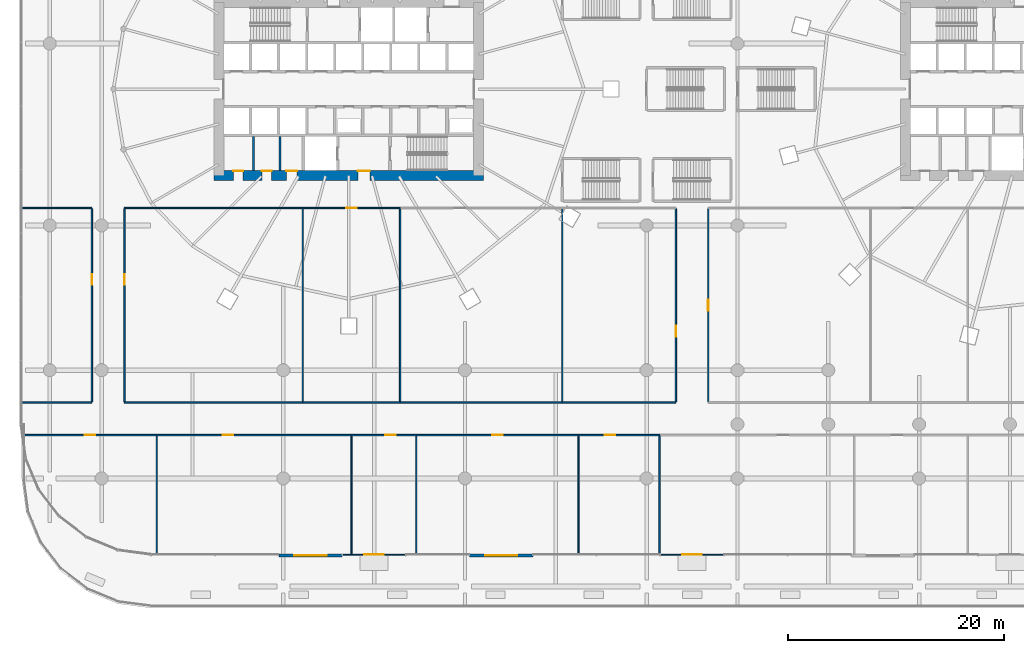
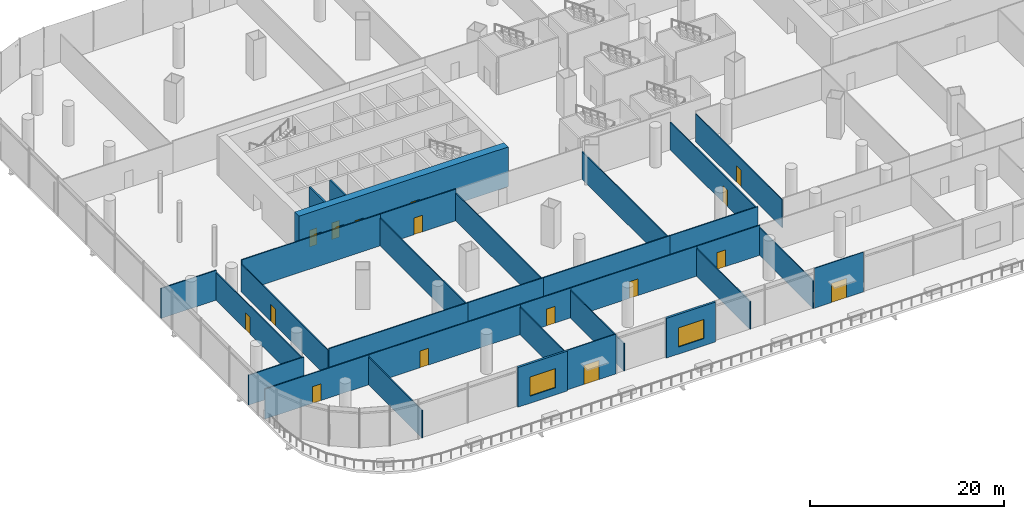
# One storey, part 33 of 51: 32 walls, 16 doors, 2 windows, 18 openings.
"""IFC4 building model written with IfcOpenShell, lengths in metres."""

from ifc_helpers import new_model, si_unit, direction, frame, frame_2d, origin, place, context, subcontext, project, spatial, rectangle, extrude, material, layer, layer_set, type_object, element, fill, save


model = new_model("IFC4")

# Units and contexts
model_context = context("Model", 3, precision=1e-05, world=origin(), true_north=direction((0.0, 1.0)))
body_context = subcontext(model_context, "Body", "Model", "MODEL_VIEW")
ifc_project = project(units=[si_unit("LENGTHUNIT", "METRE"), si_unit("AREAUNIT", "SQUARE_METRE"), si_unit("VOLUMEUNIT", "CUBIC_METRE"), si_unit("PLANEANGLEUNIT", "RADIAN"), si_unit("MASSUNIT", "GRAM", prefix="KILO")], contexts=[model_context])

# Site, building, storey
site_placement = place(None, origin())
site = spatial("IfcSite", under=ifc_project, at=site_placement, CompositionType="ELEMENT")
building_placement = place(site_placement, origin())
building = spatial("IfcBuilding", under=site, at=building_placement, Name="Rimbun Link Towers", CompositionType="ELEMENT")
storey_placement = place(building_placement, frame((0.0, 0.0, 7.0)))
storey = spatial("IfcBuildingStorey", under=building, at=storey_placement, Name="L01", CompositionType="ELEMENT", Elevation=7.0)

# Walls
ifc_material_1 = material(Name="Masonry blockwork", Category="masonry")
ifc_layer_1 = layer(ifc_material_1, 0.199951171875)
ifc_layer_set_1 = layer_set([ifc_layer_1], Name="Core partition 200")
wall_type_1 = type_object("IfcWallType", Name="Core partition 200", PredefinedType="PARTITIONING", material=ifc_layer_set_1)
for number, where, z_axis, x_axis, name in (
    (1, (-40.550048828125, -4.39990234375, 0.0), (0.0, 0.0, 1.0), (0.0, -1.0, 0.0), "L01 T1 core wall C1"),
    (2, (-38.10009765625, -4.39990234375, 0.0), (0.0, 0.0, 1.0), (0.0, -1.0, 0.0), "L01 T1 core wall C2"),
):
    element("IfcWall", number, at=place(storey_placement, frame(where, z_axis=z_axis, x_axis=x_axis)), inside=storey, type_object=wall_type_1, Name=name, PredefinedType="PARTITIONING", context=body_context, shape_type="SweptSolid", body=[
        extrude(rectangle(XDim=3.150146484375, YDim=0.199951171875, at=frame_2d((1.5751953125, 0.0))), origin(), (0.0, 0.0, 1.0), 5.0),
    ])

# Wall, openings, doors
ifc_material_2 = material(Name="Concrete C60/75", Category="concrete")
ifc_layer_2 = layer(ifc_material_2, 0.89990234375)
ifc_layer_set_2 = layer_set([ifc_layer_2], Name="Core shear wall 900")
wall_type_2 = type_object("IfcWallType", Name="Core shear wall 900", PredefinedType="SHEAR", material=ifc_layer_set_2)
wall_1_placement = place(storey_placement, frame((-44.199951171875, -8.0, 0.0), z_axis=(0.0, 0.0, 1.0), x_axis=(1.0, 0.0, 0.0)))
wall_1 = element("IfcWall", 3, at=wall_1_placement, inside=storey, type_object=wall_type_2, Name="L01 T1 core wall S", PredefinedType="SHEAR", context=body_context, shape_type="SweptSolid", body=[
    extrude(rectangle(XDim=24.89990234375, YDim=0.89990234375, at=frame_2d((12.449951171875, 0.0))), origin(), (0.0, 0.0, 1.0), 5.0),
])
opening_1_placement = place(wall_1_placement, frame((13.300048828125, 0.0, 0.0)))
opening_1 = element("IfcOpeningElement", 4, at=opening_1_placement, cuts=wall_1, Name="Opening C1DCF01S", PredefinedType="OPENING", context=body_context, shape_type="SweptSolid", body=[
    extrude(rectangle(XDim=1.10009765625, YDim=2.10009765625, at=frame_2d((0.550048828125, 1.050048828125))), frame((0.0, 0.4599609375, 0.0), z_axis=(0.0, -1.0, 0.0), x_axis=(1.0, 0.0, 0.0)), (0.0, 0.0, 1.0), 0.919921875),
])
opening_2_placement = place(wall_1_placement, frame((1.77490234375, 0.0, 0.0)))
opening_2 = element("IfcOpeningElement", 5, at=opening_2_placement, cuts=wall_1, Name="Opening C1DWC02S", PredefinedType="OPENING", context=body_context, shape_type="SweptSolid", body=[
    extrude(rectangle(XDim=0.89990234375, YDim=2.10009765625, at=frame_2d((0.449951171875, 1.050048828125))), frame((0.0, 0.4599609375, 0.0), z_axis=(0.0, -1.0, 0.0), x_axis=(1.0, 0.0, 0.0)), (0.0, 0.0, 1.0), 0.919921875),
])
opening_3_placement = place(wall_1_placement, frame((4.425048828125, 0.0, 0.0)))
opening_3 = element("IfcOpeningElement", 6, at=opening_3_placement, cuts=wall_1, Name="Opening C1DWC03S", PredefinedType="OPENING", context=body_context, shape_type="SweptSolid", body=[
    extrude(rectangle(XDim=0.89990234375, YDim=2.10009765625, at=frame_2d((0.449951171875, 1.050048828125))), frame((0.0, 0.4599609375, 0.0), z_axis=(0.0, -1.0, 0.0), x_axis=(1.0, 0.0, 0.0)), (0.0, 0.0, 1.0), 0.919921875),
])
opening_4_placement = place(wall_1_placement, frame((6.675048828125, 0.0, 0.0)))
opening_4 = element("IfcOpeningElement", 7, at=opening_4_placement, cuts=wall_1, Name="Opening C1DAW04S", PredefinedType="OPENING", context=body_context, shape_type="SweptSolid", body=[
    extrude(rectangle(XDim=1.0, YDim=2.10009765625, at=frame_2d((0.5, 1.050048828125))), frame((0.0, 0.4599609375, 0.0), z_axis=(0.0, -1.0, 0.0), x_axis=(1.0, 0.0, 0.0)), (0.0, 0.0, 1.0), 0.919921875),
])
ifc_material_3 = material(Name="Timber", Category="wood")
door_type_1 = type_object("IfcDoorType", Name="Accessible WC door", OperationType="SINGLE_SWING_LEFT", PredefinedType="DOOR", material=ifc_material_3)
door_1_placement = place(opening_4_placement, origin())
door_1 = element("IfcDoor", 8, at=door_1_placement, inside=storey, type_object=door_type_1, Name="L01 T1 accessible wc door", OperationType="SINGLE_SWING_RIGHT", OverallHeight=2.10009765625, OverallWidth=1.0, PredefinedType="DOOR", context=body_context, shape_type="SweptSolid", body=[
    extrude(rectangle(XDim=1.0, YDim=2.10009765625, at=frame_2d((0.5, 1.050048828125))), frame((0.0, 0.4501953125, 0.0), z_axis=(0.0, -1.0, 0.0), x_axis=(1.0, 0.0, 0.0)), (0.0, 0.0, 1.0), 0.050048828125),
])
fill(opening_4, door_1)
ifc_material_4 = material(Name="Steel fire door set", Category="steel")
door_type_2 = type_object("IfcDoorType", Name="Core fire door single", OperationType="SINGLE_SWING_LEFT", PredefinedType="DOOR", material=ifc_material_4)
door_2_placement = place(opening_1_placement, origin())
door_2 = element("IfcDoor", 9, at=door_2_placement, inside=storey, type_object=door_type_2, Name="L01 T1 firefighting lobby s door", OperationType="SINGLE_SWING_RIGHT", OverallHeight=2.10009765625, OverallWidth=1.10009765625, PredefinedType="DOOR", context=body_context, shape_type="SweptSolid", body=[
    extrude(rectangle(XDim=1.10009765625, YDim=2.10009765625, at=frame_2d((0.550048828125, 1.050048828125))), frame((0.0, 0.4501953125, 0.0), z_axis=(0.0, -1.0, 0.0), x_axis=(1.0, 0.0, 0.0)), (0.0, 0.0, 1.0), 0.050048828125),
])
fill(opening_1, door_2)
ifc_material_5 = material(Name="Timber", Category="wood")
door_type_3 = type_object("IfcDoorType", Name="WC door", OperationType="SINGLE_SWING_LEFT", PredefinedType="DOOR", material=ifc_material_5)
door_3_placement = place(opening_2_placement, origin())
door_3 = element("IfcDoor", 10, at=door_3_placement, inside=storey, type_object=door_type_3, Name="L01 T1 male wc door", OperationType="SINGLE_SWING_LEFT", OverallHeight=2.10009765625, OverallWidth=0.89990234375, PredefinedType="DOOR", context=body_context, shape_type="SweptSolid", body=[
    extrude(rectangle(XDim=0.89990234375, YDim=2.10009765625, at=frame_2d((0.449951171875, 1.050048828125))), frame((0.0, 0.4501953125, 0.0), z_axis=(0.0, -1.0, 0.0), x_axis=(1.0, 0.0, 0.0)), (0.0, 0.0, 1.0), 0.050048828125),
])
fill(opening_2, door_3)
door_4_placement = place(opening_3_placement, origin())
door_4 = element("IfcDoor", 11, at=door_4_placement, inside=storey, type_object=door_type_3, Name="L01 T1 female wc door", OperationType="SINGLE_SWING_RIGHT", OverallHeight=2.10009765625, OverallWidth=0.89990234375, PredefinedType="DOOR", context=body_context, shape_type="SweptSolid", body=[
    extrude(rectangle(XDim=0.89990234375, YDim=2.10009765625, at=frame_2d((0.449951171875, 1.050048828125))), frame((0.0, 0.4501953125, 0.0), z_axis=(0.0, -1.0, 0.0), x_axis=(1.0, 0.0, 0.0)), (0.0, 0.0, 1.0), 0.050048828125),
])
fill(opening_3, door_4)

# Wall, opening, door
ifc_material_6 = material(Name="Aluminium framed insulated infill panel", Category="aluminium")
ifc_layer_3 = layer(ifc_material_6, 0.10009765625)
ifc_layer_set_3 = layer_set([ifc_layer_3], Name="ED framed infill wall 100")
wall_type_3 = type_object("IfcWallType", Name="ED framed infill wall 100", PredefinedType="STANDARD", material=ifc_layer_set_3)
wall_2_placement = place(storey_placement, frame((-26.490478515625, -43.050048828125, 0.0), z_axis=(0.0, 0.0, 1.0), x_axis=(-1.0, 0.0, 0.0)))
wall_2 = element("IfcWall", 12, at=wall_2_placement, inside=storey, type_object=wall_type_3, Name="Framed door bay wall", PredefinedType="STANDARD", context=body_context, shape_type="SweptSolid", body=[
    extrude(rectangle(XDim=5.842529296875, YDim=0.10009765625, at=frame_2d((2.92138671875, 0.0))), origin(), (0.0, 0.0, 1.0), 5.0),
])
opening_5_placement = place(wall_2_placement, frame((2.021240234375, 0.0, 0.0)))
opening_5 = element("IfcOpeningElement", 13, at=opening_5_placement, cuts=wall_2, Name="Opening ED26", PredefinedType="OPENING", context=body_context, shape_type="SweptSolid", body=[
    extrude(rectangle(XDim=1.800048828125, YDim=2.39990234375, at=frame_2d((0.89990234375, 1.199951171875))), frame((0.0, 0.06005859375, 0.0), z_axis=(0.0, -1.0, 0.0), x_axis=(1.0, 0.0, 0.0)), (0.0, 0.0, 1.0), 0.1201171875),
])
ifc_material_7 = material(Name="Aluminium framed glazed door, low-iron glass", Category="aluminium")
door_type_4 = type_object("IfcDoorType", Name="ED terrace door double leaf 1800X2400", OperationType="DOUBLE_DOOR_SINGLE_SWING", PredefinedType="DOOR", material=ifc_material_7)
door_5_placement = place(opening_5_placement, origin())
door_5 = element("IfcDoor", 14, at=door_5_placement, inside=storey, type_object=door_type_4, Name="Terrace door", OperationType="SINGLE_SWING_LEFT", OverallHeight=2.39990234375, OverallWidth=1.800048828125, PredefinedType="DOOR", context=body_context, shape_type="SweptSolid", body=[
    extrude(rectangle(XDim=1.800048828125, YDim=2.39990234375, at=frame_2d((0.89990234375, 1.199951171875))), frame((0.0, 0.02490234375, 0.0), z_axis=(0.0, -1.0, 0.0), x_axis=(1.0, 0.0, 0.0)), (0.0, 0.0, 1.0), 0.050048828125),
])
fill(opening_5, door_5)

wall_3_placement = place(storey_placement, frame((2.921142578125, -43.050048828125, 0.0), z_axis=(0.0, 0.0, 1.0), x_axis=(-1.0, 0.0, 0.0)))
wall_3 = element("IfcWall", 15, at=wall_3_placement, inside=storey, type_object=wall_type_3, Name="Framed door bay wall", PredefinedType="STANDARD", context=body_context, shape_type="SweptSolid", body=[
    extrude(rectangle(XDim=5.84228515625, YDim=0.10009765625, at=frame_2d((2.921142578125, 0.0))), origin(), (0.0, 0.0, 1.0), 5.0),
])
opening_6_placement = place(wall_3_placement, frame((2.021240234375, 0.0, 0.0)))
opening_6 = element("IfcOpeningElement", 16, at=opening_6_placement, cuts=wall_3, Name="Opening ED27", PredefinedType="OPENING", context=body_context, shape_type="SweptSolid", body=[
    extrude(rectangle(XDim=1.800048828125, YDim=2.39990234375, at=frame_2d((0.89990234375, 1.199951171875))), frame((0.0, 0.06005859375, 0.0), z_axis=(0.0, -1.0, 0.0), x_axis=(1.0, 0.0, 0.0)), (0.0, 0.0, 1.0), 0.1201171875),
])
door_6_placement = place(opening_6_placement, origin())
door_6 = element("IfcDoor", 17, at=door_6_placement, inside=storey, type_object=door_type_4, Name="Terrace door", OperationType="SINGLE_SWING_LEFT", OverallHeight=2.39990234375, OverallWidth=1.800048828125, PredefinedType="DOOR", context=body_context, shape_type="SweptSolid", body=[
    extrude(rectangle(XDim=1.800048828125, YDim=2.39990234375, at=frame_2d((0.89990234375, 1.199951171875))), frame((0.0, 0.02490234375, 0.0), z_axis=(0.0, -1.0, 0.0), x_axis=(1.0, 0.0, 0.0)), (0.0, 0.0, 1.0), 0.050048828125),
])
fill(opening_6, door_6)

# Wall, opening, window
ifc_material_8 = material(Name="Concrete C32/40, terracotta rainscreen cladding", Category="masonry")
ifc_layer_4 = layer(ifc_material_8, 0.25)
ifc_layer_set_4 = layer_set([ifc_layer_4], Name="PD solid bay wall 250")
wall_type_4 = type_object("IfcWallType", Name="PD solid bay wall 250", PredefinedType="STANDARD", material=ifc_layer_set_4)
wall_4_placement = place(storey_placement, frame((-32.373046875, -43.125, 0.0), z_axis=(0.0, 0.0, 1.0), x_axis=(-1.0, 0.0, 0.0)))
wall_4 = element("IfcWall", 18, at=wall_4_placement, inside=storey, type_object=wall_type_4, Name="Solid bay wall", PredefinedType="STANDARD", context=body_context, shape_type="SweptSolid", body=[
    extrude(rectangle(XDim=5.84228515625, YDim=0.25, at=frame_2d((2.921142578125, 0.0))), origin(), (0.0, 0.0, 1.0), 5.0),
])
opening_7_placement = place(wall_4_placement, frame((1.421142578125, 0.0, 0.89990234375)))
opening_7 = element("IfcOpeningElement", 19, at=opening_7_placement, cuts=wall_4, Name="Opening WN01", PredefinedType="OPENING", context=body_context, shape_type="SweptSolid", body=[
    extrude(rectangle(XDim=3.0, YDim=2.39990234375, at=frame_2d((1.5, 1.199951171875))), frame((0.0, 0.135009765625, 0.0), z_axis=(0.0, -1.0, 0.0), x_axis=(1.0, 0.0, 0.0)), (0.0, 0.0, 1.0), 0.27001953125),
])
ifc_material_9 = material(Name="Aluminium framed window, low-iron glass", Category="aluminium")
window_type = type_object("IfcWindowType", Name="W2 podium window 3000X2400", PartitioningType="SINGLE_PANEL", PredefinedType="WINDOW", material=ifc_material_9)
window_1_placement = place(opening_7_placement, origin())
window_1 = element("IfcWindow", 20, at=window_1_placement, inside=storey, type_object=window_type, Name="Podium window", OverallHeight=2.39990234375, OverallWidth=3.0, PartitioningType="SINGLE_PANEL", PredefinedType="WINDOW", context=body_context, shape_type="SweptSolid", body=[
    extrude(rectangle(XDim=3.0, YDim=2.39990234375, at=frame_2d((1.5, 1.199951171875))), frame((0.0, 0.030029296875, 0.0), z_axis=(0.0, -1.0, 0.0), x_axis=(1.0, 0.0, 0.0)), (0.0, 0.0, 1.0), 0.06005859375),
])
fill(opening_7, window_1)

wall_5_placement = place(storey_placement, frame((-14.725830078125, -43.125, 0.0), z_axis=(0.0, 0.0, 1.0), x_axis=(-1.0, 0.0, 0.0)))
wall_5 = element("IfcWall", 21, at=wall_5_placement, inside=storey, type_object=wall_type_4, Name="Solid bay wall", PredefinedType="STANDARD", context=body_context, shape_type="SweptSolid", body=[
    extrude(rectangle(XDim=5.84228515625, YDim=0.25, at=frame_2d((2.921142578125, 0.0))), origin(), (0.0, 0.0, 1.0), 5.0),
])
opening_8_placement = place(wall_5_placement, frame((1.421142578125, 0.0, 0.89990234375)))
opening_8 = element("IfcOpeningElement", 22, at=opening_8_placement, cuts=wall_5, Name="Opening WN02", PredefinedType="OPENING", context=body_context, shape_type="SweptSolid", body=[
    extrude(rectangle(XDim=3.0, YDim=2.39990234375, at=frame_2d((1.5, 1.199951171875))), frame((0.0, 0.135009765625, 0.0), z_axis=(0.0, -1.0, 0.0), x_axis=(1.0, 0.0, 0.0)), (0.0, 0.0, 1.0), 0.27001953125),
])
window_2_placement = place(opening_8_placement, origin())
window_2 = element("IfcWindow", 23, at=window_2_placement, inside=storey, type_object=window_type, Name="Podium window", OverallHeight=2.39990234375, OverallWidth=3.0, PartitioningType="SINGLE_PANEL", PredefinedType="WINDOW", context=body_context, shape_type="SweptSolid", body=[
    extrude(rectangle(XDim=3.0, YDim=2.39990234375, at=frame_2d((1.5, 1.199951171875))), frame((0.0, 0.030029296875, 0.0), z_axis=(0.0, -1.0, 0.0), x_axis=(1.0, 0.0, 0.0)), (0.0, 0.0, 1.0), 0.06005859375),
])
fill(opening_8, window_2)

# Walls
ifc_material_10 = material(Name="Gypsum board on steel studs", Category="steel")
ifc_layer_5 = layer(ifc_material_10, 0.125)
ifc_layer_set_5 = layer_set([ifc_layer_5], Name="Partition 125 board on studs")
wall_type_5 = type_object("IfcWallType", Name="Partition 125 board on studs", PredefinedType="PARTITIONING", material=ifc_layer_set_5)
wall_6_placement = place(storey_placement, frame((-62.080078125, -11.0, 0.0), z_axis=(0.0, 0.0, 1.0), x_axis=(1.0, 0.0, 0.0)))
element("IfcWall", 24, at=wall_6_placement, inside=storey, type_object=wall_type_5, Name="PD/PW/L01/025", PredefinedType="PARTITIONING", context=body_context, shape_type="SweptSolid", body=[
    extrude(rectangle(XDim=6.580078125, YDim=0.125, at=frame_2d((3.2900390625, 0.0))), origin(), (0.0, 0.0, 1.0), 3.761962890625),
])
wall_7_placement = place(storey_placement, frame((-52.5, -11.0, 0.0), z_axis=(0.0, 0.0, 1.0), x_axis=(1.0, 0.0, 0.0)))
element("IfcWall", 25, at=wall_7_placement, inside=storey, type_object=wall_type_5, Name="PD/PW/L01/026", PredefinedType="PARTITIONING", context=body_context, shape_type="SweptSolid", body=[
    extrude(rectangle(XDim=16.5, YDim=0.125, at=frame_2d((8.25, 0.0))), origin(), (0.0, 0.0, 1.0), 3.99609375),
])

# Wall, opening, door
wall_8_placement = place(storey_placement, frame((-36.0, -11.0, 0.0), z_axis=(0.0, 0.0, 1.0), x_axis=(1.0, 0.0, 0.0)))
wall_8 = element("IfcWall", 26, at=wall_8_placement, inside=storey, type_object=wall_type_5, Name="PD/PW/L01/027", PredefinedType="PARTITIONING", context=body_context, shape_type="SweptSolid", body=[
    extrude(rectangle(XDim=9.0, YDim=0.125, at=frame_2d((4.5, 0.0))), origin(), (0.0, 0.0, 1.0), 3.99609375),
])
opening_9_placement = place(wall_8_placement, frame((4.0, 0.0, 0.0)))
opening_9 = element("IfcOpeningElement", 27, at=opening_9_placement, cuts=wall_8, Name="Opening PD D01.13", PredefinedType="OPENING", context=body_context, shape_type="SweptSolid", body=[
    extrude(rectangle(XDim=1.0, YDim=2.10009765625, at=frame_2d((0.5, 1.050048828125))), frame((0.0, 0.072509765625, 0.0), z_axis=(0.0, -1.0, 0.0), x_axis=(1.0, 0.0, 0.0)), (0.0, 0.0, 1.0), 0.14501953125),
])
ifc_material_11 = material(Name="Timber door set", Category="wood")
door_type_5 = type_object("IfcDoorType", Name="Door single leaf 1000 x 2100", OperationType="NOTDEFINED", PredefinedType="DOOR", material=ifc_material_11)
door_7_placement = place(opening_9_placement, origin())
door_7 = element("IfcDoor", 28, at=door_7_placement, inside=storey, type_object=door_type_5, Name="PD/DR/L01/013", OperationType="SINGLE_SWING_RIGHT", OverallHeight=2.10009765625, OverallWidth=1.0, PredefinedType="DOOR", context=body_context, shape_type="SweptSolid", body=[
    extrude(rectangle(XDim=1.0, YDim=2.10009765625, at=frame_2d((0.5, 1.050048828125))), frame((0.0, 0.02490234375, 0.0), z_axis=(0.0, -1.0, 0.0), x_axis=(1.0, 0.0, 0.0)), (0.0, 0.0, 1.0), 0.050048828125),
])
fill(opening_9, door_7)

wall_9_placement = place(storey_placement, frame((-61.868408203125, -32.0, 0.0), z_axis=(0.0, 0.0, 1.0), x_axis=(1.0, 0.0, 0.0)))
wall_9 = element("IfcWall", 29, at=wall_9_placement, inside=storey, type_object=wall_type_5, Name="PD/PW/L01/046", PredefinedType="PARTITIONING", context=body_context, shape_type="SweptSolid", body=[
    extrude(rectangle(XDim=12.368408203125, YDim=0.125, at=frame_2d((6.18408203125, 0.0))), origin(), (0.0, 0.0, 1.0), 3.761962890625),
])
opening_10_placement = place(wall_9_placement, frame((5.68408203125, 0.0, 0.0)))
opening_10 = element("IfcOpeningElement", 30, at=opening_10_placement, cuts=wall_9, Name="Opening PD D01.01", PredefinedType="OPENING", context=body_context, shape_type="SweptSolid", body=[
    extrude(rectangle(XDim=1.0, YDim=2.10009765625, at=frame_2d((0.5, 1.050048828125))), frame((0.0, 0.072509765625, 0.0), z_axis=(0.0, -1.0, 0.0), x_axis=(1.0, 0.0, 0.0)), (0.0, 0.0, 1.0), 0.14501953125),
])
door_8_placement = place(opening_10_placement, origin())
door_8 = element("IfcDoor", 31, at=door_8_placement, inside=storey, type_object=door_type_5, Name="PD/DR/L01/001", OperationType="SINGLE_SWING_RIGHT", OverallHeight=2.10009765625, OverallWidth=1.0, PredefinedType="DOOR", context=body_context, shape_type="SweptSolid", body=[
    extrude(rectangle(XDim=1.0, YDim=2.10009765625, at=frame_2d((0.5, 1.050048828125))), frame((0.0, 0.02490234375, 0.0), z_axis=(0.0, -1.0, 0.0), x_axis=(1.0, 0.0, 0.0)), (0.0, 0.0, 1.0), 0.050048828125),
])
fill(opening_10, door_8)

wall_10_placement = place(storey_placement, frame((-49.5, -32.0, 0.0), z_axis=(0.0, 0.0, 1.0), x_axis=(1.0, 0.0, 0.0)))
wall_10 = element("IfcWall", 32, at=wall_10_placement, inside=storey, type_object=wall_type_5, Name="PD/PW/L01/047", PredefinedType="PARTITIONING", context=body_context, shape_type="SweptSolid", body=[
    extrude(rectangle(XDim=18.0, YDim=0.125, at=frame_2d((9.0, 0.0))), origin(), (0.0, 0.0, 1.0), 3.761962890625),
])
opening_11_placement = place(wall_10_placement, frame((6.0849609375, 0.0, 0.0)))
opening_11 = element("IfcOpeningElement", 33, at=opening_11_placement, cuts=wall_10, Name="Opening PD D01.02", PredefinedType="OPENING", context=body_context, shape_type="SweptSolid", body=[
    extrude(rectangle(XDim=1.0, YDim=2.10009765625, at=frame_2d((0.5, 1.050048828125))), frame((0.0, 0.072509765625, 0.0), z_axis=(0.0, -1.0, 0.0), x_axis=(1.0, 0.0, 0.0)), (0.0, 0.0, 1.0), 0.14501953125),
])
door_9_placement = place(opening_11_placement, origin())
door_9 = element("IfcDoor", 34, at=door_9_placement, inside=storey, type_object=door_type_5, Name="PD/DR/L01/002", OperationType="SINGLE_SWING_LEFT", OverallHeight=2.10009765625, OverallWidth=1.0, PredefinedType="DOOR", context=body_context, shape_type="SweptSolid", body=[
    extrude(rectangle(XDim=1.0, YDim=2.10009765625, at=frame_2d((0.5, 1.050048828125))), frame((0.0, 0.02490234375, 0.0), z_axis=(0.0, -1.0, 0.0), x_axis=(1.0, 0.0, 0.0)), (0.0, 0.0, 1.0), 0.050048828125),
])
fill(opening_11, door_9)

wall_11_placement = place(storey_placement, frame((-31.5, -32.0, 0.0), z_axis=(0.0, 0.0, 1.0), x_axis=(1.0, 0.0, 0.0)))
wall_11 = element("IfcWall", 35, at=wall_11_placement, inside=storey, type_object=wall_type_5, Name="PD/PW/L01/048", PredefinedType="PARTITIONING", context=body_context, shape_type="SweptSolid", body=[
    extrude(rectangle(XDim=6.0, YDim=0.125, at=frame_2d((3.0, 0.0))), origin(), (0.0, 0.0, 1.0), 3.761962890625),
])
opening_12_placement = place(wall_11_placement, frame((3.114990234375, 0.0, 0.0)))
opening_12 = element("IfcOpeningElement", 36, at=opening_12_placement, cuts=wall_11, Name="Opening PD D01.03", PredefinedType="OPENING", context=body_context, shape_type="SweptSolid", body=[
    extrude(rectangle(XDim=1.0, YDim=2.10009765625, at=frame_2d((0.5, 1.050048828125))), frame((0.0, 0.072509765625, 0.0), z_axis=(0.0, -1.0, 0.0), x_axis=(1.0, 0.0, 0.0)), (0.0, 0.0, 1.0), 0.14501953125),
])
door_10_placement = place(opening_12_placement, origin())
door_10 = element("IfcDoor", 37, at=door_10_placement, inside=storey, type_object=door_type_5, Name="PD/DR/L01/003", OperationType="SINGLE_SWING_RIGHT", OverallHeight=2.10009765625, OverallWidth=1.0, PredefinedType="DOOR", context=body_context, shape_type="SweptSolid", body=[
    extrude(rectangle(XDim=1.0, YDim=2.10009765625, at=frame_2d((0.5, 1.050048828125))), frame((0.0, 0.02490234375, 0.0), z_axis=(0.0, -1.0, 0.0), x_axis=(1.0, 0.0, 0.0)), (0.0, 0.0, 1.0), 0.050048828125),
])
fill(opening_12, door_10)

wall_12_placement = place(storey_placement, frame((-25.5, -32.0, 0.0), z_axis=(0.0, 0.0, 1.0), x_axis=(1.0, 0.0, 0.0)))
wall_12 = element("IfcWall", 38, at=wall_12_placement, inside=storey, type_object=wall_type_5, Name="PD/PW/L01/049", PredefinedType="PARTITIONING", context=body_context, shape_type="SweptSolid", body=[
    extrude(rectangle(XDim=15.0, YDim=0.125, at=frame_2d((7.5, 0.0))), origin(), (0.0, 0.0, 1.0), 3.761962890625),
])
opening_13_placement = place(wall_12_placement, frame((7.0, 0.0, 0.0)))
opening_13 = element("IfcOpeningElement", 39, at=opening_13_placement, cuts=wall_12, Name="Opening PD D01.04", PredefinedType="OPENING", context=body_context, shape_type="SweptSolid", body=[
    extrude(rectangle(XDim=1.0, YDim=2.10009765625, at=frame_2d((0.5, 1.050048828125))), frame((0.0, 0.072509765625, 0.0), z_axis=(0.0, -1.0, 0.0), x_axis=(1.0, 0.0, 0.0)), (0.0, 0.0, 1.0), 0.14501953125),
])
door_11_placement = place(opening_13_placement, origin())
door_11 = element("IfcDoor", 40, at=door_11_placement, inside=storey, type_object=door_type_5, Name="PD/DR/L01/004", OperationType="SINGLE_SWING_LEFT", OverallHeight=2.10009765625, OverallWidth=1.0, PredefinedType="DOOR", context=body_context, shape_type="SweptSolid", body=[
    extrude(rectangle(XDim=1.0, YDim=2.10009765625, at=frame_2d((0.5, 1.050048828125))), frame((0.0, 0.02490234375, 0.0), z_axis=(0.0, -1.0, 0.0), x_axis=(1.0, 0.0, 0.0)), (0.0, 0.0, 1.0), 0.050048828125),
])
fill(opening_13, door_11)

wall_13_placement = place(storey_placement, frame((-10.5, -32.0, 0.0), z_axis=(0.0, 0.0, 1.0), x_axis=(1.0, 0.0, 0.0)))
wall_13 = element("IfcWall", 41, at=wall_13_placement, inside=storey, type_object=wall_type_5, Name="PD/PW/L01/050", PredefinedType="PARTITIONING", context=body_context, shape_type="SweptSolid", body=[
    extrude(rectangle(XDim=7.5, YDim=0.125, at=frame_2d((3.75, 0.0))), origin(), (0.0, 0.0, 1.0), 3.761962890625),
])
opening_14_placement = place(wall_13_placement, frame((2.409912109375, 0.0, 0.0)))
opening_14 = element("IfcOpeningElement", 42, at=opening_14_placement, cuts=wall_13, Name="Opening PD D01.05", PredefinedType="OPENING", context=body_context, shape_type="SweptSolid", body=[
    extrude(rectangle(XDim=1.0, YDim=2.10009765625, at=frame_2d((0.5, 1.050048828125))), frame((0.0, 0.072509765625, 0.0), z_axis=(0.0, -1.0, 0.0), x_axis=(1.0, 0.0, 0.0)), (0.0, 0.0, 1.0), 0.14501953125),
])
door_12_placement = place(opening_14_placement, origin())
door_12 = element("IfcDoor", 43, at=door_12_placement, inside=storey, type_object=door_type_5, Name="PD/DR/L01/005", OperationType="SINGLE_SWING_RIGHT", OverallHeight=2.10009765625, OverallWidth=1.0, PredefinedType="DOOR", context=body_context, shape_type="SweptSolid", body=[
    extrude(rectangle(XDim=1.0, YDim=2.10009765625, at=frame_2d((0.5, 1.050048828125))), frame((0.0, 0.02490234375, 0.0), z_axis=(0.0, -1.0, 0.0), x_axis=(1.0, 0.0, 0.0)), (0.0, 0.0, 1.0), 0.050048828125),
])
fill(opening_14, door_12)

# Walls
wall_14_placement = place(storey_placement, frame((-55.5, -29.0, 0.0), z_axis=(0.0, 0.0, 1.0), x_axis=(-1.0, 0.0, 0.0)))
element("IfcWall", 44, at=wall_14_placement, inside=storey, type_object=wall_type_5, Name="PD/PW/L01/056", PredefinedType="PARTITIONING", context=body_context, shape_type="SweptSolid", body=[
    extrude(rectangle(XDim=6.580078125, YDim=0.125, at=frame_2d((3.2900390625, 0.0))), origin(), (0.0, 0.0, 1.0), 3.761962890625),
])
wall_15_placement = place(storey_placement, frame((-36.0, -29.0, 0.0), z_axis=(0.0, 0.0, 1.0), x_axis=(-1.0, 0.0, 0.0)))
element("IfcWall", 45, at=wall_15_placement, inside=storey, type_object=wall_type_5, Name="PD/PW/L01/057", PredefinedType="PARTITIONING", context=body_context, shape_type="SweptSolid", body=[
    extrude(rectangle(XDim=16.5, YDim=0.125, at=frame_2d((8.25, 0.0))), origin(), (0.0, 0.0, 1.0), 3.761962890625),
])
wall_16_placement = place(storey_placement, frame((-27.0, -29.0, 0.0), z_axis=(0.0, 0.0, 1.0), x_axis=(-1.0, 0.0, 0.0)))
element("IfcWall", 46, at=wall_16_placement, inside=storey, type_object=wall_type_5, Name="PD/PW/L01/058", PredefinedType="PARTITIONING", context=body_context, shape_type="SweptSolid", body=[
    extrude(rectangle(XDim=9.0, YDim=0.125, at=frame_2d((4.5, 0.0))), origin(), (0.0, 0.0, 1.0), 3.761962890625),
])
wall_17_placement = place(storey_placement, frame((-12.0, -29.0, 0.0), z_axis=(0.0, 0.0, 1.0), x_axis=(-1.0, 0.0, 0.0)))
element("IfcWall", 47, at=wall_17_placement, inside=storey, type_object=wall_type_5, Name="PD/PW/L01/059", PredefinedType="PARTITIONING", context=body_context, shape_type="SweptSolid", body=[
    extrude(rectangle(XDim=15.0, YDim=0.125, at=frame_2d((7.5, 0.0))), origin(), (0.0, 0.0, 1.0), 3.761962890625),
])
wall_18_placement = place(storey_placement, frame((-1.5, -29.0, 0.0), z_axis=(0.0, 0.0, 1.0), x_axis=(-1.0, 0.0, 0.0)))
element("IfcWall", 48, at=wall_18_placement, inside=storey, type_object=wall_type_5, Name="PD/PW/L01/060", PredefinedType="PARTITIONING", context=body_context, shape_type="SweptSolid", body=[
    extrude(rectangle(XDim=10.5, YDim=0.125, at=frame_2d((5.25, 0.0))), origin(), (0.0, 0.0, 1.0), 3.761962890625),
])

# Wall, opening, door
wall_19_placement = place(storey_placement, frame((-55.5, -11.0625, 0.0), z_axis=(0.0, 0.0, 1.0), x_axis=(0.0, -1.0, 0.0)))
wall_19 = element("IfcWall", 49, at=wall_19_placement, inside=storey, type_object=wall_type_5, Name="PD/PW/L01/066", PredefinedType="PARTITIONING", context=body_context, shape_type="SweptSolid", body=[
    extrude(rectangle(XDim=17.875, YDim=0.125, at=frame_2d((8.9375, 0.0))), origin(), (0.0, 0.0, 1.0), 3.47998046875),
])
opening_15_placement = place(wall_19_placement, frame((6.041015625, 0.0, 0.0)))
opening_15 = element("IfcOpeningElement", 50, at=opening_15_placement, cuts=wall_19, Name="Opening PD D01.11", PredefinedType="OPENING", context=body_context, shape_type="SweptSolid", body=[
    extrude(rectangle(XDim=1.0, YDim=2.10009765625, at=frame_2d((0.5, 1.050048828125))), frame((0.0, 0.072509765625, 0.0), z_axis=(0.0, -1.0, 0.0), x_axis=(1.0, 0.0, 0.0)), (0.0, 0.0, 1.0), 0.14501953125),
])
door_13_placement = place(opening_15_placement, origin())
door_13 = element("IfcDoor", 51, at=door_13_placement, inside=storey, type_object=door_type_5, Name="PD/DR/L01/011", OperationType="SINGLE_SWING_RIGHT", OverallHeight=2.10009765625, OverallWidth=1.0, PredefinedType="DOOR", context=body_context, shape_type="SweptSolid", body=[
    extrude(rectangle(XDim=1.0, YDim=2.10009765625, at=frame_2d((0.5, 1.050048828125))), frame((0.0, 0.02490234375, 0.0), z_axis=(0.0, -1.0, 0.0), x_axis=(1.0, 0.0, 0.0)), (0.0, 0.0, 1.0), 0.050048828125),
])
fill(opening_15, door_13)

wall_20_placement = place(storey_placement, frame((-52.5, -28.9375, 0.0), z_axis=(0.0, 0.0, 1.0), x_axis=(0.0, 1.0, 0.0)))
wall_20 = element("IfcWall", 52, at=wall_20_placement, inside=storey, type_object=wall_type_5, Name="PD/PW/L01/067", PredefinedType="PARTITIONING", context=body_context, shape_type="SweptSolid", body=[
    extrude(rectangle(XDim=17.875, YDim=0.125, at=frame_2d((8.9375, 0.0))), origin(), (0.0, 0.0, 1.0), 3.47998046875),
])
opening_16_placement = place(wall_20_placement, frame((10.833984375, 0.0, 0.0)))
opening_16 = element("IfcOpeningElement", 53, at=opening_16_placement, cuts=wall_20, Name="Opening PD D01.12", PredefinedType="OPENING", context=body_context, shape_type="SweptSolid", body=[
    extrude(rectangle(XDim=1.0, YDim=2.10009765625, at=frame_2d((0.5, 1.050048828125))), frame((0.0, 0.072509765625, 0.0), z_axis=(0.0, -1.0, 0.0), x_axis=(1.0, 0.0, 0.0)), (0.0, 0.0, 1.0), 0.14501953125),
])
door_14_placement = place(opening_16_placement, origin())
door_14 = element("IfcDoor", 54, at=door_14_placement, inside=storey, type_object=door_type_5, Name="PD/DR/L01/012", OperationType="SINGLE_SWING_LEFT", OverallHeight=2.10009765625, OverallWidth=1.0, PredefinedType="DOOR", context=body_context, shape_type="SweptSolid", body=[
    extrude(rectangle(XDim=1.0, YDim=2.10009765625, at=frame_2d((0.5, 1.050048828125))), frame((0.0, 0.02490234375, 0.0), z_axis=(0.0, -1.0, 0.0), x_axis=(1.0, 0.0, 0.0)), (0.0, 0.0, 1.0), 0.050048828125),
])
fill(opening_16, door_14)

wall_21_placement = place(storey_placement, frame((-1.5, -11.0625, 0.0), z_axis=(0.0, 0.0, 1.0), x_axis=(0.0, -1.0, 0.0)))
wall_21 = element("IfcWall", 55, at=wall_21_placement, inside=storey, type_object=wall_type_5, Name="PD/PW/L01/068", PredefinedType="PARTITIONING", context=body_context, shape_type="SweptSolid", body=[
    extrude(rectangle(XDim=17.875, YDim=0.125, at=frame_2d((8.9375, 0.0))), origin(), (0.0, 0.0, 1.0), 3.47998046875),
])
opening_17_placement = place(wall_21_placement, frame((10.833984375, 0.0, 0.0)))
opening_17 = element("IfcOpeningElement", 56, at=opening_17_placement, cuts=wall_21, Name="Opening PD D01.15", PredefinedType="OPENING", context=body_context, shape_type="SweptSolid", body=[
    extrude(rectangle(XDim=1.0, YDim=2.10009765625, at=frame_2d((0.5, 1.050048828125))), frame((0.0, 0.072509765625, 0.0), z_axis=(0.0, -1.0, 0.0), x_axis=(1.0, 0.0, 0.0)), (0.0, 0.0, 1.0), 0.14501953125),
])
door_15_placement = place(opening_17_placement, origin())
door_15 = element("IfcDoor", 57, at=door_15_placement, inside=storey, type_object=door_type_5, Name="PD/DR/L01/015", OperationType="SINGLE_SWING_RIGHT", OverallHeight=2.10009765625, OverallWidth=1.0, PredefinedType="DOOR", context=body_context, shape_type="SweptSolid", body=[
    extrude(rectangle(XDim=1.0, YDim=2.10009765625, at=frame_2d((0.5, 1.050048828125))), frame((0.0, 0.02490234375, 0.0), z_axis=(0.0, -1.0, 0.0), x_axis=(1.0, 0.0, 0.0)), (0.0, 0.0, 1.0), 0.050048828125),
])
fill(opening_17, door_15)

wall_22_placement = place(storey_placement, frame((1.5, -28.9375, 0.0), z_axis=(0.0, 0.0, 1.0), x_axis=(0.0, 1.0, 0.0)))
wall_22 = element("IfcWall", 58, at=wall_22_placement, inside=storey, type_object=wall_type_5, Name="PD/PW/L01/069", PredefinedType="PARTITIONING", context=body_context, shape_type="SweptSolid", body=[
    extrude(rectangle(XDim=17.875, YDim=0.125, at=frame_2d((8.9375, 0.0))), origin(), (0.0, 0.0, 1.0), 3.47998046875),
])
opening_18_placement = place(wall_22_placement, frame((8.43798828125, 0.0, 0.0)))
opening_18 = element("IfcOpeningElement", 59, at=opening_18_placement, cuts=wall_22, Name="Opening PD D01.16", PredefinedType="OPENING", context=body_context, shape_type="SweptSolid", body=[
    extrude(rectangle(XDim=1.0, YDim=2.10009765625, at=frame_2d((0.5, 1.050048828125))), frame((0.0, 0.072509765625, 0.0), z_axis=(0.0, -1.0, 0.0), x_axis=(1.0, 0.0, 0.0)), (0.0, 0.0, 1.0), 0.14501953125),
])
door_16_placement = place(opening_18_placement, origin())
door_16 = element("IfcDoor", 60, at=door_16_placement, inside=storey, type_object=door_type_5, Name="PD/DR/L01/016", OperationType="SINGLE_SWING_LEFT", OverallHeight=2.10009765625, OverallWidth=1.0, PredefinedType="DOOR", context=body_context, shape_type="SweptSolid", body=[
    extrude(rectangle(XDim=1.0, YDim=2.10009765625, at=frame_2d((0.5, 1.050048828125))), frame((0.0, 0.02490234375, 0.0), z_axis=(0.0, -1.0, 0.0), x_axis=(1.0, 0.0, 0.0)), (0.0, 0.0, 1.0), 0.050048828125),
])
fill(opening_18, door_16)

# Walls
for number, where, z_axis, x_axis, name in (
    (61, (-49.5, -43.080078125, 0.0), (0.0, 0.0, 1.0), (0.0, 1.0, 0.0), "PD/PW/L01/072"),
    (62, (-31.5, -43.080078125, 0.0), (0.0, 0.0, 1.0), (0.0, 1.0, 0.0), "PD/PW/L01/073"),
    (63, (-25.5, -43.080078125, 0.0), (0.0, 0.0, 1.0), (0.0, 1.0, 0.0), "PD/PW/L01/074"),
    (64, (-10.5, -43.080078125, 0.0), (0.0, 0.0, 1.0), (0.0, 1.0, 0.0), "PD/PW/L01/075"),
    (65, (-3.0, -43.080078125, 0.0), (0.0, 0.0, 1.0), (0.0, 1.0, 0.0), "PD/PW/L01/076"),
):
    element("IfcWall", number, at=place(storey_placement, frame(where, z_axis=z_axis, x_axis=x_axis)), inside=storey, type_object=wall_type_5, Name=name, PredefinedType="PARTITIONING", context=body_context, shape_type="SweptSolid", body=[
        extrude(rectangle(XDim=11.017578125, YDim=0.125, at=frame_2d((5.5087890625, 0.0))), origin(), (0.0, 0.0, 1.0), 3.47998046875),
    ])
for number, where, z_axis, x_axis, name in (
    (66, (-36.0, -28.9375, 0.0), (0.0, 0.0, 1.0), (0.0, 1.0, 0.0), "PD/PW/L01/081"),
    (67, (-27.0, -28.9375, 0.0), (0.0, 0.0, 1.0), (0.0, 1.0, 0.0), "PD/PW/L01/082"),
    (68, (-12.0, -28.9375, 0.0), (0.0, 0.0, 1.0), (0.0, 1.0, 0.0), "PD/PW/L01/083"),
):
    element("IfcWall", number, at=place(storey_placement, frame(where, z_axis=z_axis, x_axis=x_axis)), inside=storey, type_object=wall_type_5, Name=name, PredefinedType="PARTITIONING", context=body_context, shape_type="SweptSolid", body=[
        extrude(rectangle(XDim=17.875, YDim=0.125, at=frame_2d((8.9375, 0.0))), origin(), (0.0, 0.0, 1.0), 3.47998046875),
    ])

save(model, "model.ifc")
